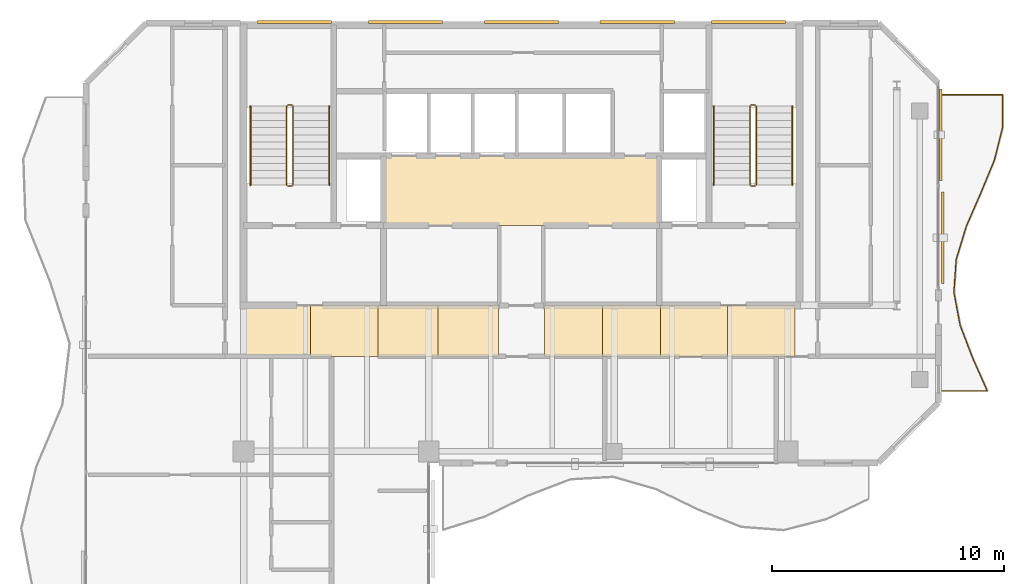
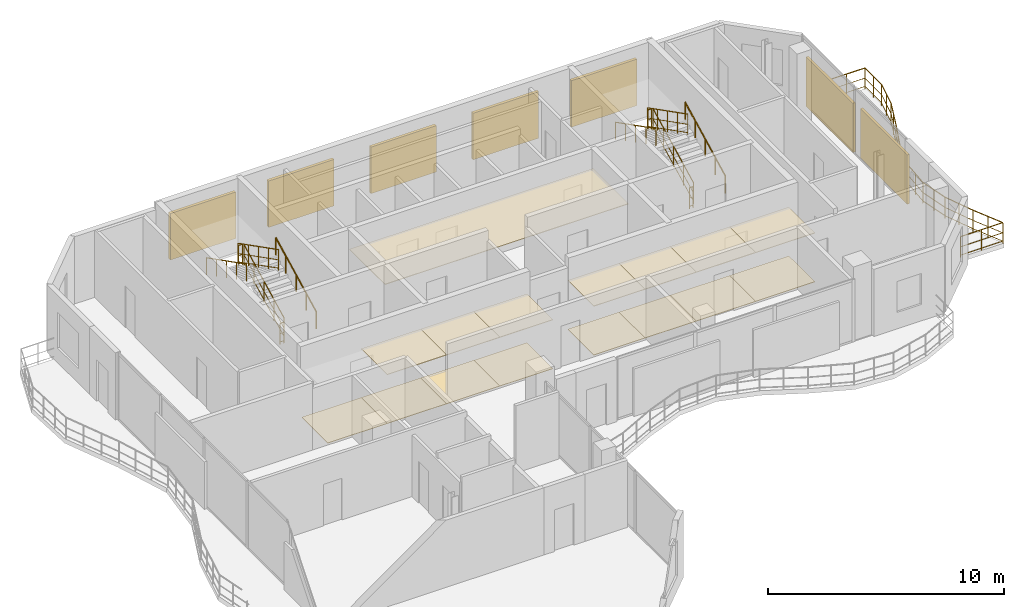
# One storey, part 16 of 16: 16 coverings, 13 railings, 7 shading devices.
"""IFC4 building model written with IfcOpenShell, lengths in metres."""

from ifc_helpers import new_model, si_unit, direction, frame, origin, origin_2d, place, context, subcontext, project, spatial, polyline, rectangle, circle, outline, extrude, material, layer, layer_set, type_object, element, save


model = new_model("IFC4")

# Units and contexts
model_context = context("Model", 3, precision=1e-05, world=origin(), true_north=direction((0.0, 1.0)))
body_context = subcontext(model_context, "Body", "Model", "MODEL_VIEW")
ifc_project = project(units=[si_unit("LENGTHUNIT", "METRE"), si_unit("AREAUNIT", "SQUARE_METRE"), si_unit("VOLUMEUNIT", "CUBIC_METRE"), si_unit("PLANEANGLEUNIT", "RADIAN"), si_unit("MASSUNIT", "GRAM", prefix="KILO")], contexts=[model_context])

# Site, building, storey
site_placement = place(None, origin())
site = spatial("IfcSite", under=ifc_project, at=site_placement, CompositionType="ELEMENT")
building_placement = place(site_placement, origin())
building = spatial("IfcBuilding", under=site, at=building_placement, Name="Catumbela Crestline Tower", CompositionType="ELEMENT")
storey_placement = place(building_placement, frame((0.0, 0.0, 286.8)))
storey = spatial("IfcBuildingStorey", under=building, at=storey_placement, Name="L74", CompositionType="ELEMENT", Elevation=286.8)

# Coverings
ifc_material_1 = material(Name="Mineral-fibre acoustic ceiling")
ifc_layer_1 = layer(ifc_material_1, 0.03, Name="Mineral-fibre acoustic ceiling")
ifc_layer_set_1 = layer_set([ifc_layer_1], Name="Mineral-fibre acoustic ceiling")
covering_type_1 = type_object("IfcCoveringType", Name="CC-AC", PredefinedType="CEILING", material=ifc_layer_set_1)
covering_1_placement = place(storey_placement, frame((0.0, 0.0, 2.65)))
element("IfcCovering", 1, at=covering_1_placement, inside=storey, type_object=covering_type_1, Name="L74 Lift Lobby Acoustic Ceiling", PredefinedType="CEILING", context=body_context, shape_type="SweptSolid", body=[
    extrude(outline(polyline([(22.05, 34.25), (33.95, 34.25), (33.95, 37.25), (22.05, 37.25), (22.05, 34.25)])), origin(), (0.0, 0.0, 1.0), 0.03),
])
covering_2_placement = place(storey_placement, frame((0.0, 0.0, 2.52)))
element("IfcCovering", 2, at=covering_2_placement, inside=storey, type_object=covering_type_1, Name="L74 Corridor Acoustic Ceiling Bay 2", PredefinedType="CEILING", context=body_context, shape_type="SweptSolid", body=[
    extrude(outline(polyline([(18.9, 28.6), (21.8, 28.6), (21.8, 30.8), (18.9, 30.8), (18.9, 28.6)])), origin(), (0.0, 0.0, 1.0), 0.03),
])
covering_3_placement = place(storey_placement, frame((0.0, 0.0, 2.52)))
element("IfcCovering", 3, at=covering_3_placement, inside=storey, type_object=covering_type_1, Name="L74 Corridor Acoustic Ceiling Bay 3", PredefinedType="CEILING", context=body_context, shape_type="SweptSolid", body=[
    extrude(outline(polyline([(21.8, 28.6), (24.4, 28.6), (24.4, 30.8), (21.8, 30.8), (21.8, 28.6)])), origin(), (0.0, 0.0, 1.0), 0.03),
])
covering_4_placement = place(storey_placement, frame((0.0, 0.0, 2.52)))
element("IfcCovering", 4, at=covering_4_placement, inside=storey, type_object=covering_type_1, Name="L74 Corridor Acoustic Ceiling Bay 4", PredefinedType="CEILING", context=body_context, shape_type="SweptSolid", body=[
    extrude(outline(polyline([(24.4, 28.6), (27.0, 28.6), (27.0, 30.8), (24.4, 30.8), (24.4, 28.6)])), origin(), (0.0, 0.0, 1.0), 0.03),
])
covering_5_placement = place(storey_placement, frame((0.0, 0.0, 2.52)))
element("IfcCovering", 5, at=covering_5_placement, inside=storey, type_object=covering_type_1, Name="L74 Corridor Acoustic Ceiling Bay 5", PredefinedType="CEILING", context=body_context, shape_type="SweptSolid", body=[
    extrude(outline(polyline([(29.0, 28.6), (31.5, 28.6), (31.5, 30.8), (29.0, 30.8), (29.0, 28.6)])), origin(), (0.0, 0.0, 1.0), 0.03),
])
covering_6_placement = place(storey_placement, frame((0.0, 0.0, 2.52)))
element("IfcCovering", 6, at=covering_6_placement, inside=storey, type_object=covering_type_1, Name="L74 Corridor Acoustic Ceiling Bay 6", PredefinedType="CEILING", context=body_context, shape_type="SweptSolid", body=[
    extrude(outline(polyline([(31.5, 28.6), (34.0, 28.6), (34.0, 30.8), (31.5, 30.8), (31.5, 28.6)])), origin(), (0.0, 0.0, 1.0), 0.03),
])
covering_7_placement = place(storey_placement, frame((0.0, 0.0, 2.52)))
element("IfcCovering", 7, at=covering_7_placement, inside=storey, type_object=covering_type_1, Name="L74 Corridor Acoustic Ceiling Bay 7", PredefinedType="CEILING", context=body_context, shape_type="SweptSolid", body=[
    extrude(outline(polyline([(34.0, 28.6), (36.9, 28.6), (36.9, 30.8), (34.0, 30.8), (34.0, 28.6)])), origin(), (0.0, 0.0, 1.0), 0.03),
])
covering_8_placement = place(storey_placement, frame((0.0, 0.0, 2.52)))
element("IfcCovering", 8, at=covering_8_placement, inside=storey, type_object=covering_type_1, Name="L74 Corridor Acoustic Ceiling Bay 8", PredefinedType="CEILING", context=body_context, shape_type="SweptSolid", body=[
    extrude(outline(polyline([(36.9, 28.6), (39.8, 28.6), (39.8, 30.8), (36.9, 30.8), (36.9, 28.6)])), origin(), (0.0, 0.0, 1.0), 0.03),
])
ifc_material_2 = material(Name="Angolan grey-ochre granite", Category="masonry")
ifc_layer_2 = layer(ifc_material_2, 0.025, Name="Angolan grey-ochre granite")
ifc_layer_set_2 = layer_set([ifc_layer_2], Name="Angolan grey-ochre granite")
covering_type_2 = type_object("IfcCoveringType", Name="CF-GR", PredefinedType="FLOORING", material=ifc_layer_set_2)
covering_9_placement = place(storey_placement, origin())
element("IfcCovering", 9, at=covering_9_placement, inside=storey, type_object=covering_type_2, Name="L74 Corridor Granite Flooring Bay 1", PredefinedType="FLOORING", context=body_context, shape_type="SweptSolid", body=[
    extrude(outline(polyline([(16.0, 28.6), (18.9, 28.6), (18.9, 30.8), (16.0, 30.8), (16.0, 28.6)])), origin(), (0.0, 0.0, 1.0), 0.025),
])
covering_10_placement = place(storey_placement, origin())
element("IfcCovering", 10, at=covering_10_placement, inside=storey, type_object=covering_type_2, Name="L74 Corridor Granite Flooring Bay 2", PredefinedType="FLOORING", context=body_context, shape_type="SweptSolid", body=[
    extrude(outline(polyline([(18.9, 28.6), (21.8, 28.6), (21.8, 30.8), (18.9, 30.8), (18.9, 28.6)])), origin(), (0.0, 0.0, 1.0), 0.025),
])
covering_11_placement = place(storey_placement, origin())
element("IfcCovering", 11, at=covering_11_placement, inside=storey, type_object=covering_type_2, Name="L74 Corridor Granite Flooring Bay 3", PredefinedType="FLOORING", context=body_context, shape_type="SweptSolid", body=[
    extrude(outline(polyline([(21.8, 28.6), (24.4, 28.6), (24.4, 30.8), (21.8, 30.8), (21.8, 28.6)])), origin(), (0.0, 0.0, 1.0), 0.025),
])
covering_12_placement = place(storey_placement, origin())
element("IfcCovering", 12, at=covering_12_placement, inside=storey, type_object=covering_type_2, Name="L74 Corridor Granite Flooring Bay 4", PredefinedType="FLOORING", context=body_context, shape_type="SweptSolid", body=[
    extrude(outline(polyline([(24.4, 28.6), (27.0, 28.6), (27.0, 30.8), (24.4, 30.8), (24.4, 28.6)])), origin(), (0.0, 0.0, 1.0), 0.025),
])
covering_13_placement = place(storey_placement, origin())
element("IfcCovering", 13, at=covering_13_placement, inside=storey, type_object=covering_type_2, Name="L74 Corridor Granite Flooring Bay 5", PredefinedType="FLOORING", context=body_context, shape_type="SweptSolid", body=[
    extrude(outline(polyline([(29.0, 28.6), (31.5, 28.6), (31.5, 30.8), (29.0, 30.8), (29.0, 28.6)])), origin(), (0.0, 0.0, 1.0), 0.025),
])
covering_14_placement = place(storey_placement, origin())
element("IfcCovering", 14, at=covering_14_placement, inside=storey, type_object=covering_type_2, Name="L74 Corridor Granite Flooring Bay 6", PredefinedType="FLOORING", context=body_context, shape_type="SweptSolid", body=[
    extrude(outline(polyline([(31.5, 28.6), (34.0, 28.6), (34.0, 30.8), (31.5, 30.8), (31.5, 28.6)])), origin(), (0.0, 0.0, 1.0), 0.025),
])
covering_15_placement = place(storey_placement, origin())
element("IfcCovering", 15, at=covering_15_placement, inside=storey, type_object=covering_type_2, Name="L74 Corridor Granite Flooring Bay 7", PredefinedType="FLOORING", context=body_context, shape_type="SweptSolid", body=[
    extrude(outline(polyline([(34.0, 28.6), (36.9, 28.6), (36.9, 30.8), (34.0, 30.8), (34.0, 28.6)])), origin(), (0.0, 0.0, 1.0), 0.025),
])
covering_16_placement = place(storey_placement, origin())
element("IfcCovering", 16, at=covering_16_placement, inside=storey, type_object=covering_type_2, Name="L74 Corridor Granite Flooring Bay 8", PredefinedType="FLOORING", context=body_context, shape_type="SweptSolid", body=[
    extrude(outline(polyline([(36.9, 28.6), (39.8, 28.6), (39.8, 30.8), (36.9, 30.8), (36.9, 28.6)])), origin(), (0.0, 0.0, 1.0), 0.025),
])

# Railings
ifc_material_3 = material(Name="Stainless steel EN 1.4401", Category="steel")
railing_type_1 = type_object("IfcRailingType", Name="RB-1100", PredefinedType="BALUSTRADE", material=ifc_material_3)
railing_1_placement = place(storey_placement, frame((46.06, 27.1, 0.0)))
element("IfcRailing", 17, at=railing_1_placement, inside=storey, type_object=railing_type_1, Name="L74 Private Wave Balcony Balustrade 2", PredefinedType="BALUSTRADE", context=body_context, shape_type="SweptSolid", body=[
    extrude(circle(Radius=0.024, at=origin_2d()), frame((0.0, 0.0, 1.076), z_axis=(1.0, 0.0, 0.0), x_axis=(0.0, 1.0, 0.0)), (0.0, 0.0, 1.0), 2.0571),
    extrude(circle(Radius=0.0156, at=origin_2d()), frame((0.0, 0.0, 0.55), z_axis=(1.0, 0.0, 0.0), x_axis=(0.0, 1.0, 0.0)), (0.0, 0.0, 1.0), 2.0571),
    extrude(circle(Radius=0.0156, at=origin_2d()), frame((0.0, 0.0, 0.12), z_axis=(1.0, 0.0, 0.0), x_axis=(0.0, 1.0, 0.0)), (0.0, 0.0, 1.0), 2.0571),
    extrude(circle(Radius=0.024, at=origin_2d()), frame((2.0571, 0.0, 1.076), z_axis=(-0.406573528586, 0.913618063445, 0.0), x_axis=(-0.913618063445, -0.406573528586, 0.0)), (0.0, 0.0, 1.0), 1.5567),
    extrude(circle(Radius=0.0156, at=origin_2d()), frame((2.0571, 0.0, 0.55), z_axis=(-0.406573528586, 0.913618063445, 0.0), x_axis=(-0.913618063445, -0.406573528586, 0.0)), (0.0, 0.0, 1.0), 1.5567),
    extrude(circle(Radius=0.0156, at=origin_2d()), frame((2.0571, 0.0, 0.12), z_axis=(-0.406573528586, 0.913618063445, 0.0), x_axis=(-0.913618063445, -0.406573528586, 0.0)), (0.0, 0.0, 1.0), 1.5567),
    extrude(circle(Radius=0.024, at=origin_2d()), frame((1.4242, 1.4222, 1.076), z_axis=(-0.357663105374, 0.933850685631, 0.0), x_axis=(-0.933850685631, -0.357663105374, 0.0)), (0.0, 0.0, 1.0), 1.5229),
    extrude(circle(Radius=0.0156, at=origin_2d()), frame((1.4242, 1.4222, 0.55), z_axis=(-0.357663105374, 0.933850685631, 0.0), x_axis=(-0.933850685631, -0.357663105374, 0.0)), (0.0, 0.0, 1.0), 1.5229),
    extrude(circle(Radius=0.0156, at=origin_2d()), frame((1.4242, 1.4222, 0.12), z_axis=(-0.357663105374, 0.933850685631, 0.0), x_axis=(-0.933850685631, -0.357663105374, 0.0)), (0.0, 0.0, 1.0), 1.5229),
    extrude(circle(Radius=0.024, at=origin_2d()), frame((0.8795, 2.8444, 1.076), z_axis=(-0.185769087382, 0.982593428725, 0.0), x_axis=(-0.982593428725, -0.185769087382, 0.0)), (0.0, 0.0, 1.0), 1.4475),
    extrude(circle(Radius=0.0156, at=origin_2d()), frame((0.8795, 2.8444, 0.55), z_axis=(-0.185769087382, 0.982593428725, 0.0), x_axis=(-0.982593428725, -0.185769087382, 0.0)), (0.0, 0.0, 1.0), 1.4475),
    extrude(circle(Radius=0.0156, at=origin_2d()), frame((0.8795, 2.8444, 0.12), z_axis=(-0.185769087382, 0.982593428725, 0.0), x_axis=(-0.982593428725, -0.185769087382, 0.0)), (0.0, 0.0, 1.0), 1.4475),
    extrude(circle(Radius=0.024, at=origin_2d()), frame((0.6106, 4.2667, 1.076), z_axis=(0.069791435582, 0.997561604874, 0.0), x_axis=(-0.997561604874, 0.069791435582, 0.0)), (0.0, 0.0, 1.0), 1.4257),
    extrude(circle(Radius=0.0156, at=origin_2d()), frame((0.6106, 4.2667, 0.55), z_axis=(0.069791435582, 0.997561604874, 0.0), x_axis=(-0.997561604874, 0.069791435582, 0.0)), (0.0, 0.0, 1.0), 1.4257),
    extrude(circle(Radius=0.0156, at=origin_2d()), frame((0.6106, 4.2667, 0.12), z_axis=(0.069791435582, 0.997561604874, 0.0), x_axis=(-0.997561604874, 0.069791435582, 0.0)), (0.0, 0.0, 1.0), 1.4257),
    extrude(circle(Radius=0.024, at=origin_2d()), frame((0.7101, 5.6889, 1.076), z_axis=(0.291688797242, 0.956513275163, 0.0), x_axis=(-0.956513275163, 0.291688797242, 0.0)), (0.0, 0.0, 1.0), 1.4869),
    extrude(circle(Radius=0.0156, at=origin_2d()), frame((0.7101, 5.6889, 0.55), z_axis=(0.291688797242, 0.956513275163, 0.0), x_axis=(-0.956513275163, 0.291688797242, 0.0)), (0.0, 0.0, 1.0), 1.4869),
    extrude(circle(Radius=0.0156, at=origin_2d()), frame((0.7101, 5.6889, 0.12), z_axis=(0.291688797242, 0.956513275163, 0.0), x_axis=(-0.956513275163, 0.291688797242, 0.0)), (0.0, 0.0, 1.0), 1.4869),
    extrude(circle(Radius=0.024, at=origin_2d()), frame((1.1438, 7.1111, 1.076), z_axis=(0.398754405231, 0.917057754075, 0.0), x_axis=(-0.917057754075, 0.398754405231, 0.0)), (0.0, 0.0, 1.0), 1.5508),
    extrude(circle(Radius=0.0156, at=origin_2d()), frame((1.1438, 7.1111, 0.55), z_axis=(0.398754405231, 0.917057754075, 0.0), x_axis=(-0.917057754075, 0.398754405231, 0.0)), (0.0, 0.0, 1.0), 1.5508),
    extrude(circle(Radius=0.0156, at=origin_2d()), frame((1.1438, 7.1111, 0.12), z_axis=(0.398754405231, 0.917057754075, 0.0), x_axis=(-0.917057754075, 0.398754405231, 0.0)), (0.0, 0.0, 1.0), 1.5508),
    extrude(circle(Radius=0.024, at=origin_2d()), frame((1.7622, 8.5333, 1.076), z_axis=(0.38321774855, 0.92365803044, 0.0), x_axis=(-0.92365803044, 0.38321774855, 0.0)), (0.0, 0.0, 1.0), 1.5399),
    extrude(circle(Radius=0.0156, at=origin_2d()), frame((1.7622, 8.5333, 0.55), z_axis=(0.38321774855, 0.92365803044, 0.0), x_axis=(-0.92365803044, 0.38321774855, 0.0)), (0.0, 0.0, 1.0), 1.5399),
    extrude(circle(Radius=0.0156, at=origin_2d()), frame((1.7622, 8.5333, 0.12), z_axis=(0.38321774855, 0.92365803044, 0.0), x_axis=(-0.92365803044, 0.38321774855, 0.0)), (0.0, 0.0, 1.0), 1.5399),
    extrude(circle(Radius=0.024, at=origin_2d()), frame((2.3523, 9.9556, 1.076), z_axis=(0.244428183287, 0.969667398243, 0.0), x_axis=(-0.969667398243, 0.244428183287, 0.0)), (0.0, 0.0, 1.0), 1.4667),
    extrude(circle(Radius=0.0156, at=origin_2d()), frame((2.3523, 9.9556, 0.55), z_axis=(0.244428183287, 0.969667398243, 0.0), x_axis=(-0.969667398243, 0.244428183287, 0.0)), (0.0, 0.0, 1.0), 1.4667),
    extrude(circle(Radius=0.0156, at=origin_2d()), frame((2.3523, 9.9556, 0.12), z_axis=(0.244428183287, 0.969667398243, 0.0), x_axis=(-0.969667398243, 0.244428183287, 0.0)), (0.0, 0.0, 1.0), 1.4667),
    extrude(circle(Radius=0.024, at=origin_2d()), frame((2.7108, 11.3778, 1.076), z_axis=(0.002320342509, 0.999997308002, 0.0), x_axis=(-0.999997308002, 0.002320342509, 0.0)), (0.0, 0.0, 1.0), 1.4222),
    extrude(circle(Radius=0.0156, at=origin_2d()), frame((2.7108, 11.3778, 0.55), z_axis=(0.002320342509, 0.999997308002, 0.0), x_axis=(-0.999997308002, 0.002320342509, 0.0)), (0.0, 0.0, 1.0), 1.4222),
    extrude(circle(Radius=0.0156, at=origin_2d()), frame((2.7108, 11.3778, 0.12), z_axis=(0.002320342509, 0.999997308002, 0.0), x_axis=(-0.999997308002, 0.002320342509, 0.0)), (0.0, 0.0, 1.0), 1.4222),
    extrude(circle(Radius=0.024, at=origin_2d()), frame((2.7141, 12.8, 1.076), z_axis=(-1.0, 0.0, 0.0), x_axis=(0.0, -1.0, 0.0)), (0.0, 0.0, 1.0), 2.7141),
    extrude(circle(Radius=0.0156, at=origin_2d()), frame((2.7141, 12.8, 0.55), z_axis=(-1.0, 0.0, 0.0), x_axis=(0.0, -1.0, 0.0)), (0.0, 0.0, 1.0), 2.7141),
    extrude(circle(Radius=0.0156, at=origin_2d()), frame((2.7141, 12.8, 0.12), z_axis=(-1.0, 0.0, 0.0), x_axis=(0.0, -1.0, 0.0)), (0.0, 0.0, 1.0), 2.7141),
    extrude(circle(Radius=0.021, at=origin_2d()), origin(), (0.0, 0.0, 1.0), 1.052),
    extrude(circle(Radius=0.021, at=origin_2d()), frame((1.0285, 0.0, 0.0)), (0.0, 0.0, 1.0), 1.052),
    extrude(circle(Radius=0.021, at=origin_2d()), frame((2.0571, 0.0, 0.0)), (0.0, 0.0, 1.0), 1.052),
    extrude(circle(Radius=0.021, at=origin_2d()), frame((1.7406, 0.7111, 0.0)), (0.0, 0.0, 1.0), 1.052),
    extrude(circle(Radius=0.021, at=origin_2d()), frame((1.4242, 1.4222, 0.0)), (0.0, 0.0, 1.0), 1.052),
    extrude(circle(Radius=0.021, at=origin_2d()), frame((1.1518, 2.1333, 0.0)), (0.0, 0.0, 1.0), 1.052),
    extrude(circle(Radius=0.021, at=origin_2d()), frame((0.8795, 2.8444, 0.0)), (0.0, 0.0, 1.0), 1.052),
    extrude(circle(Radius=0.021, at=origin_2d()), frame((0.745, 3.5556, 0.0)), (0.0, 0.0, 1.0), 1.052),
    extrude(circle(Radius=0.021, at=origin_2d()), frame((0.6106, 4.2667, 0.0)), (0.0, 0.0, 1.0), 1.052),
    extrude(circle(Radius=0.021, at=origin_2d()), frame((0.6603, 4.9778, 0.0)), (0.0, 0.0, 1.0), 1.052),
    extrude(circle(Radius=0.021, at=origin_2d()), frame((0.7101, 5.6889, 0.0)), (0.0, 0.0, 1.0), 1.052),
    extrude(circle(Radius=0.021, at=origin_2d()), frame((0.9269, 6.4, 0.0)), (0.0, 0.0, 1.0), 1.052),
    extrude(circle(Radius=0.021, at=origin_2d()), frame((1.1438, 7.1111, 0.0)), (0.0, 0.0, 1.0), 1.052),
    extrude(circle(Radius=0.021, at=origin_2d()), frame((1.453, 7.8222, 0.0)), (0.0, 0.0, 1.0), 1.052),
    extrude(circle(Radius=0.021, at=origin_2d()), frame((1.7622, 8.5333, 0.0)), (0.0, 0.0, 1.0), 1.052),
    extrude(circle(Radius=0.021, at=origin_2d()), frame((2.0572, 9.2444, 0.0)), (0.0, 0.0, 1.0), 1.052),
    extrude(circle(Radius=0.021, at=origin_2d()), frame((2.3523, 9.9556, 0.0)), (0.0, 0.0, 1.0), 1.052),
    extrude(circle(Radius=0.021, at=origin_2d()), frame((2.5315, 10.6667, 0.0)), (0.0, 0.0, 1.0), 1.052),
    extrude(circle(Radius=0.021, at=origin_2d()), frame((2.7108, 11.3778, 0.0)), (0.0, 0.0, 1.0), 1.052),
    extrude(circle(Radius=0.021, at=origin_2d()), frame((2.7124, 12.0889, 0.0)), (0.0, 0.0, 1.0), 1.052),
    extrude(circle(Radius=0.021, at=origin_2d()), frame((2.7141, 12.8, 0.0)), (0.0, 0.0, 1.0), 1.052),
    extrude(circle(Radius=0.021, at=origin_2d()), frame((1.8094, 12.8, 0.0)), (0.0, 0.0, 1.0), 1.052),
    extrude(circle(Radius=0.021, at=origin_2d()), frame((0.9047, 12.8, 0.0)), (0.0, 0.0, 1.0), 1.052),
    extrude(circle(Radius=0.021, at=origin_2d()), frame((0.0, 12.8, 0.0)), (0.0, 0.0, 1.0), 1.052),
])
railing_type_2 = type_object("IfcRailingType", Name="RG-1100", PredefinedType="GUARDRAIL", material=ifc_material_3)
railing_2_placement = place(storey_placement, frame((18.14, 36.0, 0.1583)))
element("IfcRailing", 18, at=railing_2_placement, inside=storey, type_object=railing_type_2, Name="L74 ST-01 stair guard 1", PredefinedType="GUARDRAIL", context=body_context, shape_type="SweptSolid", body=[
    extrude(circle(Radius=0.024, at=origin_2d()), frame((0.0, 0.0, 1.076), z_axis=(0.0, 0.890560473983, 0.454864861447), x_axis=(-1.0, 0.0, 0.0)), (0.0, 0.0, 1.0), 3.829),
    extrude(circle(Radius=0.0156, at=origin_2d()), frame((0.0, 0.0, 0.55), z_axis=(0.0, 0.890560473983, 0.454864861447), x_axis=(-1.0, 0.0, 0.0)), (0.0, 0.0, 1.0), 3.829),
    extrude(circle(Radius=0.0156, at=origin_2d()), frame((0.0, 0.0, 0.12), z_axis=(0.0, 0.890560473983, 0.454864861447), x_axis=(-1.0, 0.0, 0.0)), (0.0, 0.0, 1.0), 3.829),
    extrude(circle(Radius=0.021, at=origin_2d()), origin(), (0.0, 0.0, 1.0), 1.052),
    extrude(circle(Radius=0.021, at=origin_2d()), frame((0.0, 0.8525, 0.4354)), (0.0, 0.0, 1.0), 1.052),
    extrude(circle(Radius=0.021, at=origin_2d()), frame((0.0, 1.705, 0.8708)), (0.0, 0.0, 1.0), 1.052),
    extrude(circle(Radius=0.021, at=origin_2d()), frame((0.0, 2.5575, 1.3063)), (0.0, 0.0, 1.0), 1.052),
    extrude(circle(Radius=0.021, at=origin_2d()), frame((0.0, 3.41, 1.7417)), (0.0, 0.0, 1.0), 1.052),
])
railing_3_placement = place(storey_placement, frame((18.09, 39.46, 1.9)))
element("IfcRailing", 19, at=railing_3_placement, inside=storey, type_object=railing_type_2, Name="L74 ST-01 stair guard 2", PredefinedType="GUARDRAIL", context=body_context, shape_type="SweptSolid", body=[
    extrude(circle(Radius=0.024, at=origin_2d()), frame((0.0, 0.0, 1.076), z_axis=(-1.0, 0.0, 0.0), x_axis=(0.0, -1.0, 0.0)), (0.0, 0.0, 1.0), 0.18),
    extrude(circle(Radius=0.0156, at=origin_2d()), frame((0.0, 0.0, 0.55), z_axis=(-1.0, 0.0, 0.0), x_axis=(0.0, -1.0, 0.0)), (0.0, 0.0, 1.0), 0.18),
    extrude(circle(Radius=0.0156, at=origin_2d()), frame((0.0, 0.0, 0.12), z_axis=(-1.0, 0.0, 0.0), x_axis=(0.0, -1.0, 0.0)), (0.0, 0.0, 1.0), 0.18),
    extrude(circle(Radius=0.021, at=origin_2d()), origin(), (0.0, 0.0, 1.0), 1.052),
    extrude(circle(Radius=0.021, at=origin_2d()), frame((-0.18, 0.0, 0.0)), (0.0, 0.0, 1.0), 1.052),
])
railing_4_placement = place(storey_placement, frame((17.86, 39.41, 2.0583)))
element("IfcRailing", 20, at=railing_4_placement, inside=storey, type_object=railing_type_2, Name="L74 ST-01 stair guard 3", PredefinedType="GUARDRAIL", context=body_context, shape_type="SweptSolid", body=[
    extrude(circle(Radius=0.024, at=origin_2d()), frame((0.0, 0.0, 1.076), z_axis=(0.0, -0.890560473983, 0.454864861447), x_axis=(1.0, 0.0, 0.0)), (0.0, 0.0, 1.0), 3.829),
    extrude(circle(Radius=0.0156, at=origin_2d()), frame((0.0, 0.0, 0.55), z_axis=(0.0, -0.890560473983, 0.454864861447), x_axis=(1.0, 0.0, 0.0)), (0.0, 0.0, 1.0), 3.829),
    extrude(circle(Radius=0.0156, at=origin_2d()), frame((0.0, 0.0, 0.12), z_axis=(0.0, -0.890560473983, 0.454864861447), x_axis=(1.0, 0.0, 0.0)), (0.0, 0.0, 1.0), 3.829),
    extrude(circle(Radius=0.021, at=origin_2d()), origin(), (0.0, 0.0, 1.0), 1.052),
    extrude(circle(Radius=0.021, at=origin_2d()), frame((0.0, -0.8525, 0.4354)), (0.0, 0.0, 1.0), 1.052),
    extrude(circle(Radius=0.021, at=origin_2d()), frame((0.0, -1.705, 0.8709)), (0.0, 0.0, 1.0), 1.052),
    extrude(circle(Radius=0.021, at=origin_2d()), frame((0.0, -2.5575, 1.3063)), (0.0, 0.0, 1.0), 1.052),
    extrude(circle(Radius=0.021, at=origin_2d()), frame((0.0, -3.41, 1.7417)), (0.0, 0.0, 1.0), 1.052),
])
railing_5_placement = place(storey_placement, frame((18.09, 35.95, 0.0)))
element("IfcRailing", 21, at=railing_5_placement, inside=storey, type_object=railing_type_2, Name="L74 ST-01 stair guard 4", PredefinedType="GUARDRAIL", context=body_context, shape_type="SweptSolid", body=[
    extrude(circle(Radius=0.024, at=origin_2d()), frame((0.0, 0.0, 1.076), z_axis=(-1.0, 0.0, 0.0), x_axis=(0.0, -1.0, 0.0)), (0.0, 0.0, 1.0), 0.18),
    extrude(circle(Radius=0.0156, at=origin_2d()), frame((0.0, 0.0, 0.55), z_axis=(-1.0, 0.0, 0.0), x_axis=(0.0, -1.0, 0.0)), (0.0, 0.0, 1.0), 0.18),
    extrude(circle(Radius=0.0156, at=origin_2d()), frame((0.0, 0.0, 0.12), z_axis=(-1.0, 0.0, 0.0), x_axis=(0.0, -1.0, 0.0)), (0.0, 0.0, 1.0), 0.18),
    extrude(circle(Radius=0.021, at=origin_2d()), origin(), (0.0, 0.0, 1.0), 1.052),
    extrude(circle(Radius=0.021, at=origin_2d()), frame((-0.18, 0.0, 0.0)), (0.0, 0.0, 1.0), 1.052),
])
railing_6_placement = place(storey_placement, frame((38.14, 36.0, 0.1583)))
element("IfcRailing", 22, at=railing_6_placement, inside=storey, type_object=railing_type_2, Name="L74 ST-02 stair guard 1", PredefinedType="GUARDRAIL", context=body_context, shape_type="SweptSolid", body=[
    extrude(circle(Radius=0.024, at=origin_2d()), frame((0.0, 0.0, 1.076), z_axis=(0.0, 0.890560473983, 0.454864861447), x_axis=(-1.0, 0.0, 0.0)), (0.0, 0.0, 1.0), 3.829),
    extrude(circle(Radius=0.0156, at=origin_2d()), frame((0.0, 0.0, 0.55), z_axis=(0.0, 0.890560473983, 0.454864861447), x_axis=(-1.0, 0.0, 0.0)), (0.0, 0.0, 1.0), 3.829),
    extrude(circle(Radius=0.0156, at=origin_2d()), frame((0.0, 0.0, 0.12), z_axis=(0.0, 0.890560473983, 0.454864861447), x_axis=(-1.0, 0.0, 0.0)), (0.0, 0.0, 1.0), 3.829),
    extrude(circle(Radius=0.021, at=origin_2d()), origin(), (0.0, 0.0, 1.0), 1.052),
    extrude(circle(Radius=0.021, at=origin_2d()), frame((0.0, 0.8525, 0.4354)), (0.0, 0.0, 1.0), 1.052),
    extrude(circle(Radius=0.021, at=origin_2d()), frame((0.0, 1.705, 0.8708)), (0.0, 0.0, 1.0), 1.052),
    extrude(circle(Radius=0.021, at=origin_2d()), frame((0.0, 2.5575, 1.3063)), (0.0, 0.0, 1.0), 1.052),
    extrude(circle(Radius=0.021, at=origin_2d()), frame((0.0, 3.41, 1.7417)), (0.0, 0.0, 1.0), 1.052),
])
railing_7_placement = place(storey_placement, frame((38.09, 39.46, 1.9)))
element("IfcRailing", 23, at=railing_7_placement, inside=storey, type_object=railing_type_2, Name="L74 ST-02 stair guard 2", PredefinedType="GUARDRAIL", context=body_context, shape_type="SweptSolid", body=[
    extrude(circle(Radius=0.024, at=origin_2d()), frame((0.0, 0.0, 1.076), z_axis=(-1.0, 0.0, 0.0), x_axis=(0.0, -1.0, 0.0)), (0.0, 0.0, 1.0), 0.18),
    extrude(circle(Radius=0.0156, at=origin_2d()), frame((0.0, 0.0, 0.55), z_axis=(-1.0, 0.0, 0.0), x_axis=(0.0, -1.0, 0.0)), (0.0, 0.0, 1.0), 0.18),
    extrude(circle(Radius=0.0156, at=origin_2d()), frame((0.0, 0.0, 0.12), z_axis=(-1.0, 0.0, 0.0), x_axis=(0.0, -1.0, 0.0)), (0.0, 0.0, 1.0), 0.18),
    extrude(circle(Radius=0.021, at=origin_2d()), origin(), (0.0, 0.0, 1.0), 1.052),
    extrude(circle(Radius=0.021, at=origin_2d()), frame((-0.18, 0.0, 0.0)), (0.0, 0.0, 1.0), 1.052),
])
railing_8_placement = place(storey_placement, frame((37.86, 39.41, 2.0583)))
element("IfcRailing", 24, at=railing_8_placement, inside=storey, type_object=railing_type_2, Name="L74 ST-02 stair guard 3", PredefinedType="GUARDRAIL", context=body_context, shape_type="SweptSolid", body=[
    extrude(circle(Radius=0.024, at=origin_2d()), frame((0.0, 0.0, 1.076), z_axis=(0.0, -0.890560473983, 0.454864861447), x_axis=(1.0, 0.0, 0.0)), (0.0, 0.0, 1.0), 3.829),
    extrude(circle(Radius=0.0156, at=origin_2d()), frame((0.0, 0.0, 0.55), z_axis=(0.0, -0.890560473983, 0.454864861447), x_axis=(1.0, 0.0, 0.0)), (0.0, 0.0, 1.0), 3.829),
    extrude(circle(Radius=0.0156, at=origin_2d()), frame((0.0, 0.0, 0.12), z_axis=(0.0, -0.890560473983, 0.454864861447), x_axis=(1.0, 0.0, 0.0)), (0.0, 0.0, 1.0), 3.829),
    extrude(circle(Radius=0.021, at=origin_2d()), origin(), (0.0, 0.0, 1.0), 1.052),
    extrude(circle(Radius=0.021, at=origin_2d()), frame((0.0, -0.8525, 0.4354)), (0.0, 0.0, 1.0), 1.052),
    extrude(circle(Radius=0.021, at=origin_2d()), frame((0.0, -1.705, 0.8709)), (0.0, 0.0, 1.0), 1.052),
    extrude(circle(Radius=0.021, at=origin_2d()), frame((0.0, -2.5575, 1.3063)), (0.0, 0.0, 1.0), 1.052),
    extrude(circle(Radius=0.021, at=origin_2d()), frame((0.0, -3.41, 1.7417)), (0.0, 0.0, 1.0), 1.052),
])
railing_9_placement = place(storey_placement, frame((38.09, 35.95, 0.0)))
element("IfcRailing", 25, at=railing_9_placement, inside=storey, type_object=railing_type_2, Name="L74 ST-02 stair guard 4", PredefinedType="GUARDRAIL", context=body_context, shape_type="SweptSolid", body=[
    extrude(circle(Radius=0.024, at=origin_2d()), frame((0.0, 0.0, 1.076), z_axis=(-1.0, 0.0, 0.0), x_axis=(0.0, -1.0, 0.0)), (0.0, 0.0, 1.0), 0.18),
    extrude(circle(Radius=0.0156, at=origin_2d()), frame((0.0, 0.0, 0.55), z_axis=(-1.0, 0.0, 0.0), x_axis=(0.0, -1.0, 0.0)), (0.0, 0.0, 1.0), 0.18),
    extrude(circle(Radius=0.0156, at=origin_2d()), frame((0.0, 0.0, 0.12), z_axis=(-1.0, 0.0, 0.0), x_axis=(0.0, -1.0, 0.0)), (0.0, 0.0, 1.0), 0.18),
    extrude(circle(Radius=0.021, at=origin_2d()), origin(), (0.0, 0.0, 1.0), 1.052),
    extrude(circle(Radius=0.021, at=origin_2d()), frame((-0.18, 0.0, 0.0)), (0.0, 0.0, 1.0), 1.052),
])
railing_type_3 = type_object("IfcRailingType", Name="RH-0900", PredefinedType="HANDRAIL", material=ifc_material_3)
railing_10_placement = place(storey_placement, frame((19.7, 36.0, 0.1583)))
element("IfcRailing", 26, at=railing_10_placement, inside=storey, type_object=railing_type_3, Name="L74 ST-01 stair handrail 1", PredefinedType="HANDRAIL", context=body_context, shape_type="SweptSolid", body=[
    extrude(circle(Radius=0.024, at=origin_2d()), frame((0.0, 0.0, 0.876), z_axis=(0.0, 0.890560473983, 0.454864861447), x_axis=(-1.0, 0.0, 0.0)), (0.0, 0.0, 1.0), 3.829),
    extrude(circle(Radius=0.021, at=origin_2d()), origin(), (0.0, 0.0, 1.0), 0.852),
    extrude(circle(Radius=0.021, at=origin_2d()), frame((0.0, 0.8525, 0.4354)), (0.0, 0.0, 1.0), 0.852),
    extrude(circle(Radius=0.021, at=origin_2d()), frame((0.0, 1.705, 0.8708)), (0.0, 0.0, 1.0), 0.852),
    extrude(circle(Radius=0.021, at=origin_2d()), frame((0.0, 2.5575, 1.3063)), (0.0, 0.0, 1.0), 0.852),
    extrude(circle(Radius=0.021, at=origin_2d()), frame((0.0, 3.41, 1.7417)), (0.0, 0.0, 1.0), 0.852),
])
railing_11_placement = place(storey_placement, frame((16.3, 39.41, 2.0583)))
element("IfcRailing", 27, at=railing_11_placement, inside=storey, type_object=railing_type_3, Name="L74 ST-01 stair handrail 2", PredefinedType="HANDRAIL", context=body_context, shape_type="SweptSolid", body=[
    extrude(circle(Radius=0.024, at=origin_2d()), frame((0.0, 0.0, 0.876), z_axis=(0.0, -0.890560473983, 0.454864861447), x_axis=(1.0, 0.0, 0.0)), (0.0, 0.0, 1.0), 3.829),
    extrude(circle(Radius=0.021, at=origin_2d()), origin(), (0.0, 0.0, 1.0), 0.852),
    extrude(circle(Radius=0.021, at=origin_2d()), frame((0.0, -0.8525, 0.4354)), (0.0, 0.0, 1.0), 0.852),
    extrude(circle(Radius=0.021, at=origin_2d()), frame((0.0, -1.705, 0.8709)), (0.0, 0.0, 1.0), 0.852),
    extrude(circle(Radius=0.021, at=origin_2d()), frame((0.0, -2.5575, 1.3063)), (0.0, 0.0, 1.0), 0.852),
    extrude(circle(Radius=0.021, at=origin_2d()), frame((0.0, -3.41, 1.7417)), (0.0, 0.0, 1.0), 0.852),
])
railing_12_placement = place(storey_placement, frame((39.7, 36.0, 0.1583)))
element("IfcRailing", 28, at=railing_12_placement, inside=storey, type_object=railing_type_3, Name="L74 ST-02 stair handrail 1", PredefinedType="HANDRAIL", context=body_context, shape_type="SweptSolid", body=[
    extrude(circle(Radius=0.024, at=origin_2d()), frame((0.0, 0.0, 0.876), z_axis=(0.0, 0.890560473983, 0.454864861447), x_axis=(-1.0, 0.0, 0.0)), (0.0, 0.0, 1.0), 3.829),
    extrude(circle(Radius=0.021, at=origin_2d()), origin(), (0.0, 0.0, 1.0), 0.852),
    extrude(circle(Radius=0.021, at=origin_2d()), frame((0.0, 0.8525, 0.4354)), (0.0, 0.0, 1.0), 0.852),
    extrude(circle(Radius=0.021, at=origin_2d()), frame((0.0, 1.705, 0.8708)), (0.0, 0.0, 1.0), 0.852),
    extrude(circle(Radius=0.021, at=origin_2d()), frame((0.0, 2.5575, 1.3063)), (0.0, 0.0, 1.0), 0.852),
    extrude(circle(Radius=0.021, at=origin_2d()), frame((0.0, 3.41, 1.7417)), (0.0, 0.0, 1.0), 0.852),
])
railing_13_placement = place(storey_placement, frame((36.3, 39.41, 2.0583)))
element("IfcRailing", 29, at=railing_13_placement, inside=storey, type_object=railing_type_3, Name="L74 ST-02 stair handrail 2", PredefinedType="HANDRAIL", context=body_context, shape_type="SweptSolid", body=[
    extrude(circle(Radius=0.024, at=origin_2d()), frame((0.0, 0.0, 0.876), z_axis=(0.0, -0.890560473983, 0.454864861447), x_axis=(1.0, 0.0, 0.0)), (0.0, 0.0, 1.0), 3.829),
    extrude(circle(Radius=0.021, at=origin_2d()), origin(), (0.0, 0.0, 1.0), 0.852),
    extrude(circle(Radius=0.021, at=origin_2d()), frame((0.0, -0.8525, 0.4354)), (0.0, 0.0, 1.0), 0.852),
    extrude(circle(Radius=0.021, at=origin_2d()), frame((0.0, -1.705, 0.8709)), (0.0, 0.0, 1.0), 0.852),
    extrude(circle(Radius=0.021, at=origin_2d()), frame((0.0, -2.5575, 1.3063)), (0.0, 0.0, 1.0), 0.852),
    extrude(circle(Radius=0.021, at=origin_2d()), frame((0.0, -3.41, 1.7417)), (0.0, 0.0, 1.0), 0.852),
])

# Shading devices
ifc_material_4 = material(Name="Extruded terracotta ceramic", Category="masonry")
shading_device_type_1 = type_object("IfcShadingDeviceType", Name="ST-180", PredefinedType="USERDEFINED", material=ifc_material_4)
for number, where, z_axis, x_axis, name in (
    (30, (18.2, 43.04, 0.55), (0.0, 0.0, 1.0), (1.0, 0.0, 0.0), "L74 Rear Core Terracotta Brise-Soleil Screen 910"),
    (31, (33.0, 43.04, 0.55), (0.0, 0.0, 1.0), (1.0, 0.0, 0.0), "L74 Rear Core Terracotta Brise-Soleil Screen 913"),
):
    element("IfcShadingDevice", number, at=place(storey_placement, frame(where, z_axis=z_axis, x_axis=x_axis)), inside=storey, type_object=shading_device_type_1, Name=name, ObjectType="SCREEN", PredefinedType="USERDEFINED", context=body_context, shape_type="SweptSolid", body=[
        extrude(rectangle(XDim=3.2, YDim=0.14, at=origin_2d()), origin(), (0.0, 0.0, 1.0), 2.4),
    ])
shading_device_1_placement = place(storey_placement, frame((46.099, 38.175, -0.1), z_axis=(0.0, 0.0, 1.0), x_axis=(0.0, 1.0, 0.0)))
element("IfcShadingDevice", 32, at=shading_device_1_placement, inside=storey, type_object=shading_device_type_1, Name="L74 Perforated Terracotta Solar Screen 921 (180 mm)", ObjectType="SCREEN", PredefinedType="USERDEFINED", context=body_context, shape_type="SweptSolid", body=[
    extrude(rectangle(XDim=3.96, YDim=0.12, at=origin_2d()), origin(), (0.0, 0.0, 1.0), 2.55),
])
shading_device_type_2 = type_object("IfcShadingDeviceType", Name="ST-260", PredefinedType="USERDEFINED", material=ifc_material_4)
for number, where, z_axis, x_axis, name in (
    (33, (28.0, 43.04, 0.55), (0.0, 0.0, 1.0), (1.0, 0.0, 0.0), "L74 Rear Core Terracotta Brise-Soleil Screen 912"),
    (34, (37.8, 43.04, 0.55), (0.0, 0.0, 1.0), (1.0, 0.0, 0.0), "L74 Rear Core Terracotta Brise-Soleil Screen 914"),
):
    element("IfcShadingDevice", number, at=place(storey_placement, frame(where, z_axis=z_axis, x_axis=x_axis)), inside=storey, type_object=shading_device_type_2, Name=name, ObjectType="SCREEN", PredefinedType="USERDEFINED", context=body_context, shape_type="SweptSolid", body=[
        extrude(rectangle(XDim=3.2, YDim=0.14, at=origin_2d()), origin(), (0.0, 0.0, 1.0), 2.4),
    ])
shading_device_type_3 = type_object("IfcShadingDeviceType", Name="ST-340", PredefinedType="USERDEFINED", material=ifc_material_4)
shading_device_2_placement = place(storey_placement, frame((23.0, 43.04, 0.55), z_axis=(0.0, 0.0, 1.0), x_axis=(1.0, 0.0, 0.0)))
element("IfcShadingDevice", 35, at=shading_device_2_placement, inside=storey, type_object=shading_device_type_3, Name="L74 Rear Core Terracotta Brise-Soleil Screen 911", ObjectType="SCREEN", PredefinedType="USERDEFINED", context=body_context, shape_type="SweptSolid", body=[
    extrude(rectangle(XDim=3.2, YDim=0.14, at=origin_2d()), origin(), (0.0, 0.0, 1.0), 2.4),
])
shading_device_3_placement = place(storey_placement, frame((46.187, 33.725, -0.1), z_axis=(0.0, 0.0, 1.0), x_axis=(0.0, 1.0, 0.0)))
element("IfcShadingDevice", 36, at=shading_device_3_placement, inside=storey, type_object=shading_device_type_3, Name="L74 Perforated Terracotta Solar Screen 920 (340 mm)", ObjectType="SCREEN", PredefinedType="USERDEFINED", context=body_context, shape_type="SweptSolid", body=[
    extrude(rectangle(XDim=3.96, YDim=0.12, at=origin_2d()), origin(), (0.0, 0.0, 1.0), 2.55),
])

save(model, "model.ifc")
